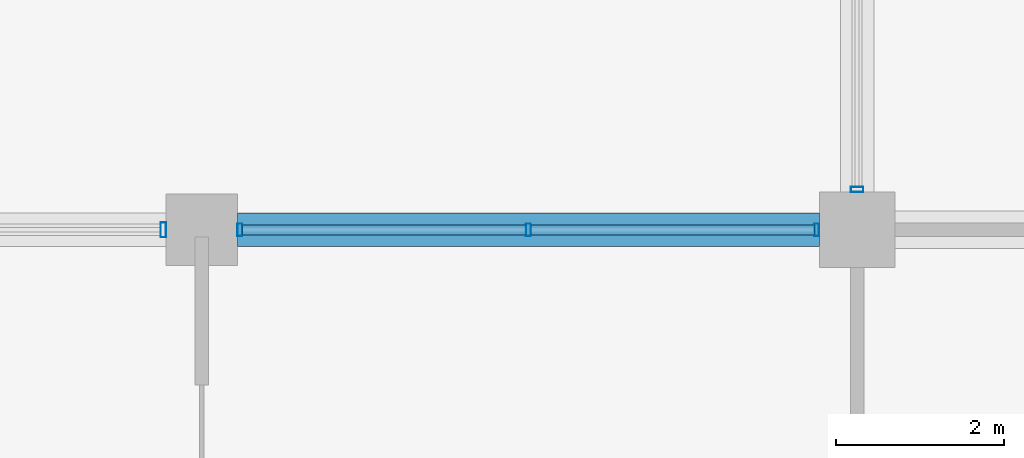
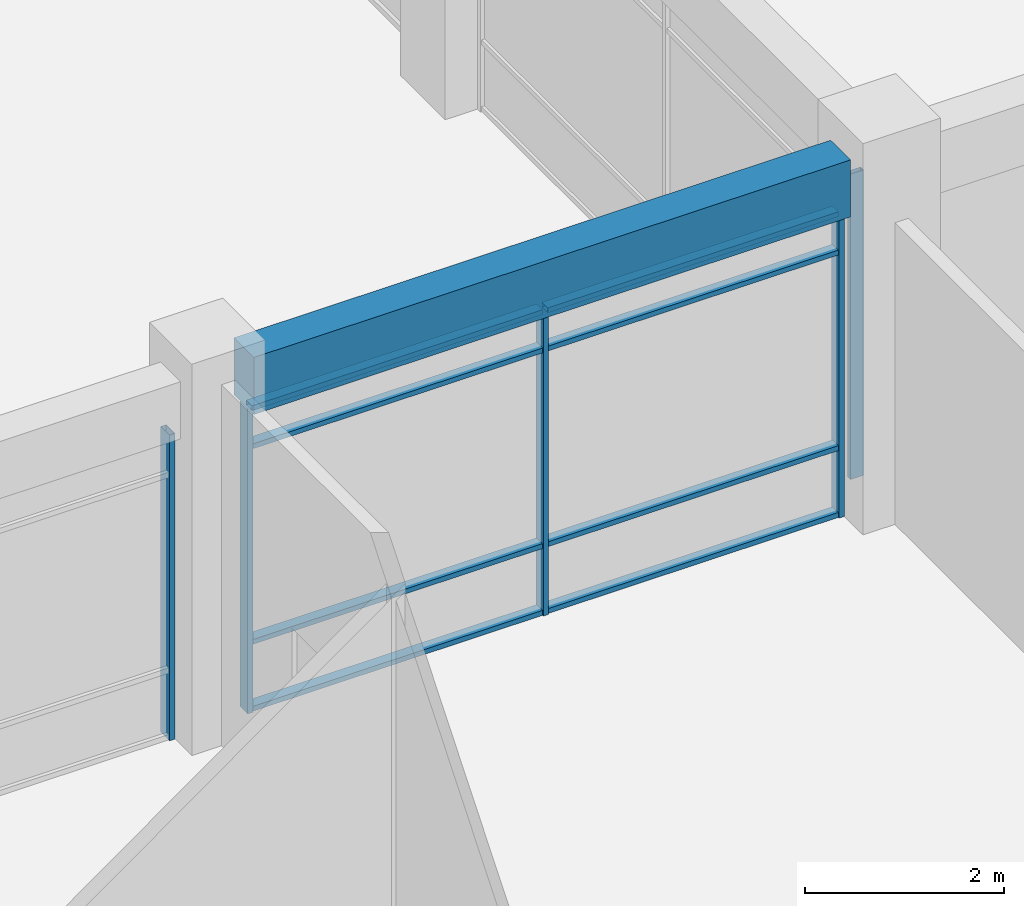
# One storey, part 20 of 74: 13 members, 1 beam, 3 elements without a shape of their own.
"""IFC4 building model written with IfcOpenShell, lengths in metres."""

from ifc_helpers import new_model, si_unit, direction, frame, origin, origin_2d, place, context, subcontext, project, spatial, rectangle, hollow_rectangle, extrude, material, material_profile, profile_set, type_object, element, aggregate, save


model = new_model("IFC4")

# Units and contexts
model_context = context("Model", 3, precision=1e-05, world=origin(), true_north=direction((0.0, 1.0)))
body_context = subcontext(model_context, "Body", "Model", "MODEL_VIEW")
ifc_project = project(units=[si_unit("LENGTHUNIT", "METRE"), si_unit("AREAUNIT", "SQUARE_METRE"), si_unit("VOLUMEUNIT", "CUBIC_METRE"), si_unit("PLANEANGLEUNIT", "RADIAN"), si_unit("MASSUNIT", "GRAM", prefix="KILO"), si_unit("THERMODYNAMICTEMPERATUREUNIT", "KELVIN"), si_unit("POWERUNIT", "WATT")], contexts=[model_context])

# Site, building, storey
site_placement = place(None, origin())
site = spatial("IfcSite", under=ifc_project, at=site_placement, CompositionType="ELEMENT")
building_placement = place(site_placement, origin())
building = spatial("IfcBuilding", under=site, at=building_placement, Name="Srebrne Nadtorze General Hospital", CompositionType="ELEMENT")
storey_placement = place(building_placement, origin())
storey = spatial("IfcBuildingStorey", under=building, at=storey_placement, Name="L00", CompositionType="ELEMENT", Elevation=0.0)

# Curtain wall, members
ifc_material_1 = material(Name="Anodised Aluminium", Category="aluminium")
curtain_wall_type_1 = type_object("IfcCurtainWallType", Name="Unitised curtain wall 6925x3750", PredefinedType="NOTDEFINED", material=ifc_material_1)
curtain_wall_1_placement = place(storey_placement, origin())
curtain_wall_1 = element("IfcCurtainWall", 1, at=curtain_wall_1_placement, inside=storey, type_object=curtain_wall_type_1, Name="Curtain wall CW-010", PredefinedType="NOTDEFINED")
ifc_material_2 = material(Name="Anodised Aluminium", Category="aluminium")
ifc_material_profile_1 = material_profile(ifc_material_2, hollow_rectangle(XDim=0.06005859375, YDim=0.14990234375, WallThickness=0.00390625, at=origin_2d()), Name="AL-MUL-60x150")
ifc_profile_set_1 = profile_set([ifc_material_profile_1], Name="Anodised Aluminium")
member_type_1 = type_object("IfcMemberType", Name="Curtain mullion 60x150", PredefinedType="MULLION", material=ifc_profile_set_1)
member_1_placement = place(storey_placement, frame((94.054931640625, 25.199951171875, 0.0), z_axis=(0.0, 0.0, 1.0), x_axis=(1.0, 0.0, 0.0)))
member_1 = element("IfcMember", 2, at=member_1_placement, type_object=member_type_1, Name="CW-010 mullion 1", PredefinedType="MULLION", context=body_context, shape_type="SweptSolid", body=[
    extrude(hollow_rectangle(XDim=0.06005859375, YDim=0.14990234375, WallThickness=0.00390625, at=origin_2d()), origin(), (0.0, 0.0, 1.0), 3.75),
])
member_2_placement = place(storey_placement, frame((97.487548828125, 25.199951171875, 0.0), z_axis=(0.0, 0.0, 1.0), x_axis=(1.0, 0.0, 0.0)))
member_2 = element("IfcMember", 3, at=member_2_placement, type_object=member_type_1, Name="CW-010 mullion 2", PredefinedType="MULLION", context=body_context, shape_type="SweptSolid", body=[
    extrude(hollow_rectangle(XDim=0.06005859375, YDim=0.14990234375, WallThickness=0.00390625, at=origin_2d()), origin(), (0.0, 0.0, 1.0), 3.75),
])
member_3_placement = place(storey_placement, frame((100.919921875, 25.199951171875, 0.0), z_axis=(0.0, 0.0, 1.0), x_axis=(1.0, 0.0, 0.0)))
member_3 = element("IfcMember", 4, at=member_3_placement, type_object=member_type_1, Name="CW-010 mullion 3", PredefinedType="MULLION", context=body_context, shape_type="SweptSolid", body=[
    extrude(hollow_rectangle(XDim=0.06005859375, YDim=0.14990234375, WallThickness=0.00390625, at=origin_2d()), origin(), (0.0, 0.0, 1.0), 3.75),
])

# Curtain wall, member
ifc_material_3 = material(Name="Anodised Aluminium", Category="aluminium")
curtain_wall_type_2 = type_object("IfcCurtainWallType", Name="Unitised curtain wall 7500x3750", PredefinedType="NOTDEFINED", material=ifc_material_3)
curtain_wall_2_placement = place(storey_placement, origin())
curtain_wall_2 = element("IfcCurtainWall", 5, at=curtain_wall_2_placement, inside=storey, type_object=curtain_wall_type_2, Name="Curtain wall CW-022", PredefinedType="NOTDEFINED")
member_4_placement = place(storey_placement, frame((101.39990234375, 25.679931640625, 0.0), z_axis=(0.0, 0.0, 1.0), x_axis=(0.0, 1.0, 0.0)))
member_4 = element("IfcMember", 6, at=member_4_placement, type_object=member_type_1, Name="CW-022 mullion 1", PredefinedType="MULLION", context=body_context, shape_type="SweptSolid", body=[
    extrude(hollow_rectangle(XDim=0.06005859375, YDim=0.14990234375, WallThickness=0.00390625, at=origin_2d()), origin(), (0.0, 0.0, 1.0), 3.75),
])
aggregate(curtain_wall_2, [member_4])

ifc_material_4 = material(Name="Anodised Aluminium", Category="aluminium")
curtain_wall_type_3 = type_object("IfcCurtainWallType", Name="Unitised curtain wall 6950x3750", PredefinedType="NOTDEFINED", material=ifc_material_4)
curtain_wall_3_placement = place(storey_placement, origin())
curtain_wall_3 = element("IfcCurtainWall", 7, at=curtain_wall_3_placement, inside=storey, type_object=curtain_wall_type_3, Name="Curtain wall CW-009", PredefinedType="NOTDEFINED")
ifc_material_5 = material(Name="Anodised Aluminium", Category="aluminium")
ifc_material_profile_2 = material_profile(ifc_material_5, hollow_rectangle(XDim=0.06494140625, YDim=0.179931640625, WallThickness=0.00390625, at=origin_2d()), Name="AL-MUL-65x180")
ifc_profile_set_2 = profile_set([ifc_material_profile_2], Name="Anodised Aluminium")
member_type_2 = type_object("IfcMemberType", Name="Curtain mullion 65x180", PredefinedType="MULLION", material=ifc_profile_set_2)
member_5_placement = place(storey_placement, frame((93.142578125, 25.199951171875, 0.0), z_axis=(0.0, 0.0, 1.0), x_axis=(1.0, 0.0, 0.0)))
member_5 = element("IfcMember", 8, at=member_5_placement, type_object=member_type_2, Name="CW-009 mullion 3", PredefinedType="MULLION", context=body_context, shape_type="SweptSolid", body=[
    extrude(hollow_rectangle(XDim=0.06494140625, YDim=0.179931640625, WallThickness=0.00390625, at=origin_2d()), origin(), (0.0, 0.0, 1.0), 3.75),
])
aggregate(curtain_wall_3, [member_5])

# Member
ifc_material_6 = material(Name="Anodised Aluminium", Category="aluminium")
ifc_material_profile_3 = material_profile(ifc_material_6, hollow_rectangle(XDim=0.06005859375, YDim=0.1201171875, WallThickness=0.00390625, at=origin_2d()), Name="AL-TRN-60x120")
ifc_profile_set_3 = profile_set([ifc_material_profile_3], Name="Anodised Aluminium")
member_type_3 = type_object("IfcMemberType", Name="Curtain transom 60x120", PredefinedType="USERDEFINED", material=ifc_profile_set_3)
member_6_placement = place(storey_placement, frame((94.0849609375, 25.199951171875, 0.030029296875), z_axis=(1.0, 0.0, 0.0), x_axis=(0.0, 0.0, 1.0)))
member_6 = element("IfcMember", 9, at=member_6_placement, type_object=member_type_3, Name="CW-010 transom 1.1", ObjectType="TRANSOM", PredefinedType="USERDEFINED", context=body_context, shape_type="SweptSolid", body=[
    extrude(hollow_rectangle(XDim=0.06005859375, YDim=0.1201171875, WallThickness=0.00390625, at=origin_2d()), origin(), (0.0, 0.0, 1.0), 3.37255859375),
])

member_7_placement = place(storey_placement, frame((94.0849609375, 25.199951171875, 0.85009765625), z_axis=(1.0, 0.0, 0.0), x_axis=(0.0, 0.0, 1.0)))
member_7 = element("IfcMember", 10, at=member_7_placement, type_object=member_type_3, Name="CW-010 transom 1.2", ObjectType="TRANSOM", PredefinedType="USERDEFINED", context=body_context, shape_type="SweptSolid", body=[
    extrude(hollow_rectangle(XDim=0.06005859375, YDim=0.1201171875, WallThickness=0.00390625, at=origin_2d()), origin(), (0.0, 0.0, 1.0), 3.37255859375),
])

member_8_placement = place(storey_placement, frame((94.0849609375, 25.199951171875, 3.25), z_axis=(1.0, 0.0, 0.0), x_axis=(0.0, 0.0, 1.0)))
member_8 = element("IfcMember", 11, at=member_8_placement, type_object=member_type_3, Name="CW-010 transom 1.3", ObjectType="TRANSOM", PredefinedType="USERDEFINED", context=body_context, shape_type="SweptSolid", body=[
    extrude(hollow_rectangle(XDim=0.06005859375, YDim=0.1201171875, WallThickness=0.00390625, at=origin_2d()), origin(), (0.0, 0.0, 1.0), 3.37255859375),
])

member_9_placement = place(storey_placement, frame((94.0849609375, 25.199951171875, 3.719970703125), z_axis=(1.0, 0.0, 0.0), x_axis=(0.0, 0.0, 1.0)))
member_9 = element("IfcMember", 12, at=member_9_placement, type_object=member_type_3, Name="CW-010 transom 1.4", ObjectType="TRANSOM", PredefinedType="USERDEFINED", context=body_context, shape_type="SweptSolid", body=[
    extrude(hollow_rectangle(XDim=0.06005859375, YDim=0.1201171875, WallThickness=0.00390625, at=origin_2d()), origin(), (0.0, 0.0, 1.0), 3.37255859375),
])

member_10_placement = place(storey_placement, frame((97.517578125, 25.199951171875, 0.030029296875), z_axis=(1.0, 0.0, 0.0), x_axis=(0.0, 0.0, 1.0)))
member_10 = element("IfcMember", 13, at=member_10_placement, type_object=member_type_3, Name="CW-010 transom 2.1", ObjectType="TRANSOM", PredefinedType="USERDEFINED", context=body_context, shape_type="SweptSolid", body=[
    extrude(hollow_rectangle(XDim=0.06005859375, YDim=0.1201171875, WallThickness=0.00390625, at=origin_2d()), origin(), (0.0, 0.0, 1.0), 3.372314453125),
])

member_11_placement = place(storey_placement, frame((97.517578125, 25.199951171875, 0.85009765625), z_axis=(1.0, 0.0, 0.0), x_axis=(0.0, 0.0, 1.0)))
member_11 = element("IfcMember", 14, at=member_11_placement, type_object=member_type_3, Name="CW-010 transom 2.2", ObjectType="TRANSOM", PredefinedType="USERDEFINED", context=body_context, shape_type="SweptSolid", body=[
    extrude(hollow_rectangle(XDim=0.06005859375, YDim=0.1201171875, WallThickness=0.00390625, at=origin_2d()), origin(), (0.0, 0.0, 1.0), 3.372314453125),
])

member_12_placement = place(storey_placement, frame((97.517578125, 25.199951171875, 3.25), z_axis=(1.0, 0.0, 0.0), x_axis=(0.0, 0.0, 1.0)))
member_12 = element("IfcMember", 15, at=member_12_placement, type_object=member_type_3, Name="CW-010 transom 2.3", ObjectType="TRANSOM", PredefinedType="USERDEFINED", context=body_context, shape_type="SweptSolid", body=[
    extrude(hollow_rectangle(XDim=0.06005859375, YDim=0.1201171875, WallThickness=0.00390625, at=origin_2d()), origin(), (0.0, 0.0, 1.0), 3.372314453125),
])

member_13_placement = place(storey_placement, frame((97.517578125, 25.199951171875, 3.719970703125), z_axis=(1.0, 0.0, 0.0), x_axis=(0.0, 0.0, 1.0)))
member_13 = element("IfcMember", 16, at=member_13_placement, type_object=member_type_3, Name="CW-010 transom 2.4", ObjectType="TRANSOM", PredefinedType="USERDEFINED", context=body_context, shape_type="SweptSolid", body=[
    extrude(hollow_rectangle(XDim=0.06005859375, YDim=0.1201171875, WallThickness=0.00390625, at=origin_2d()), origin(), (0.0, 0.0, 1.0), 3.372314453125),
])

aggregate(curtain_wall_1, [member_1, member_2, member_3, member_6, member_7, member_8, member_9, member_10, member_11, member_12, member_13])

# Beam
ifc_material_7 = material(Name="Concrete C40/50", Category="concrete")
ifc_material_profile_4 = material_profile(ifc_material_7, rectangle(XDim=0.39990234375, YDim=0.699951171875, at=origin_2d()), Name="RC-BM-400x700")
ifc_profile_set_4 = profile_set([ifc_material_profile_4], Name="Concrete C40/50")
beam_type = type_object("IfcBeamType", Name="Edge beam RC 400x700", PredefinedType="BEAM", material=ifc_profile_set_4)
beam_placement = place(storey_placement, frame((94.02490234375, 25.199951171875, 4.10009765625), z_axis=(1.0, 0.0, 0.0), x_axis=(0.0, 1.0, 0.0)))
element("IfcBeam", 17, at=beam_placement, inside=storey, type_object=beam_type, Name="Beam BM-L00-X-0208", PredefinedType="BEAM", context=body_context, shape_type="SweptSolid", body=[
    extrude(rectangle(XDim=0.39990234375, YDim=0.699951171875, at=origin_2d()), origin(), (0.0, 0.0, 1.0), 6.925048828125),
])

save(model, "model.ifc")
